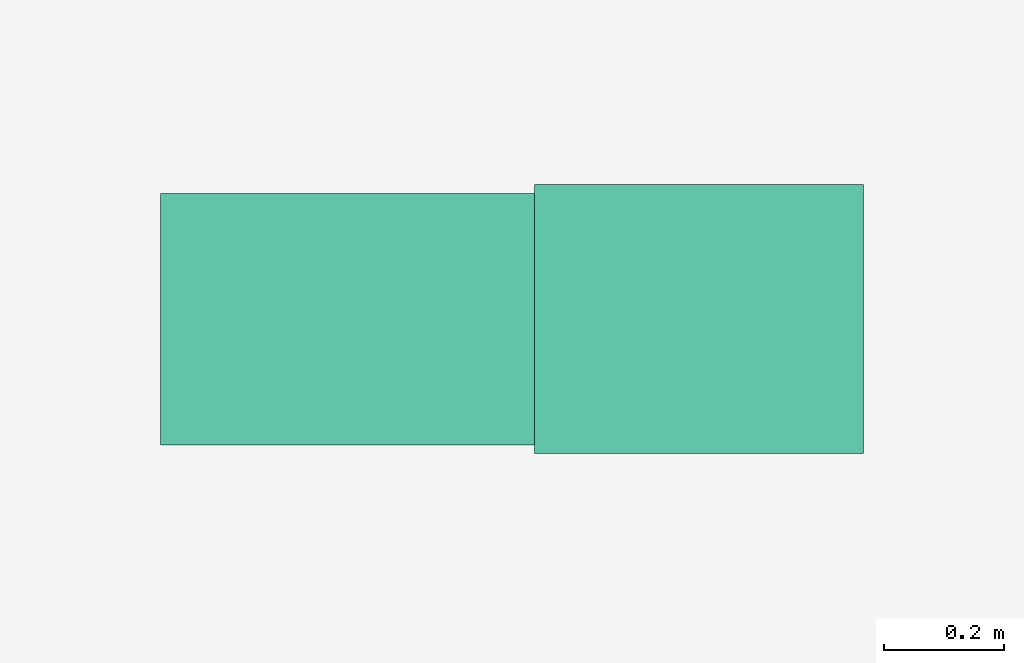
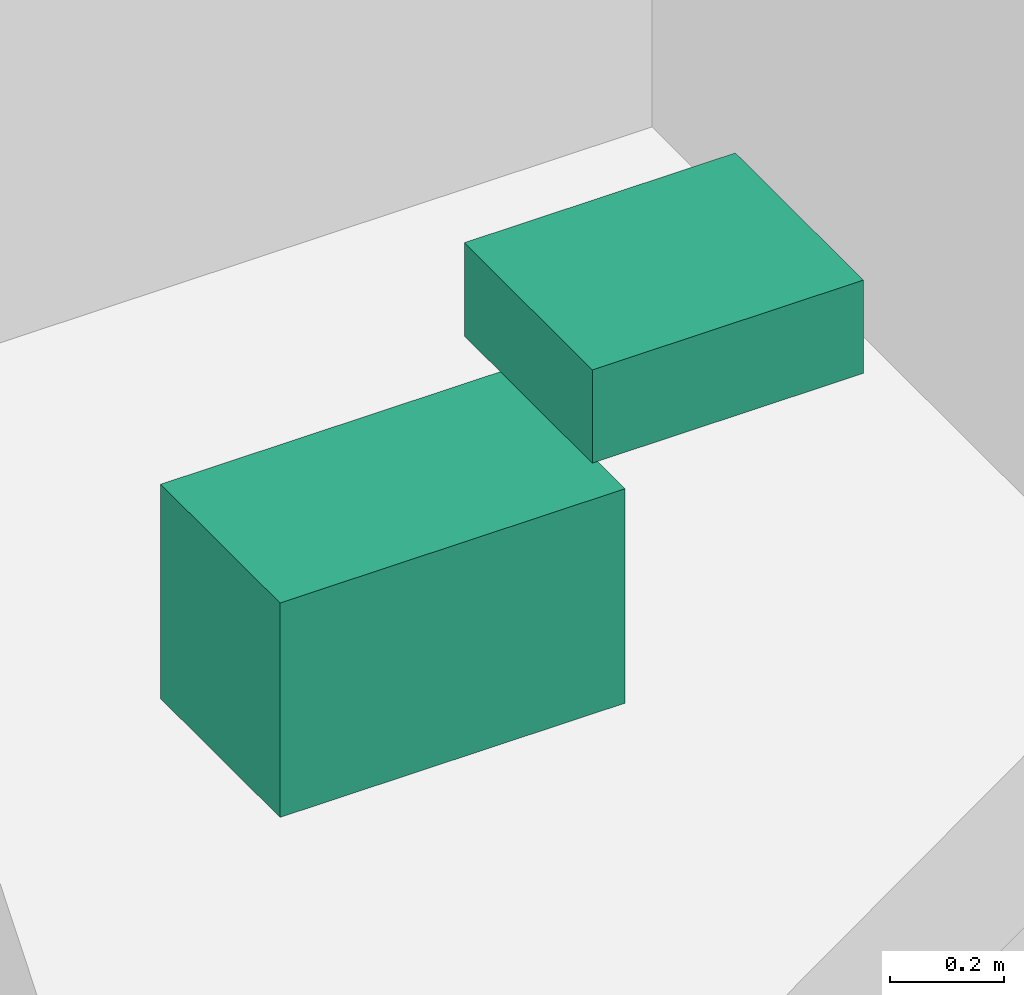
# One storey, part 18 of 18: 2 sanitary terminals.
"""IFC4 building model written with IfcOpenShell, lengths in metres."""

import ifcopenshell
import ifcopenshell.guid

model = None  # the IFC model being written
_history = None  # IfcOwnerHistory: only IFC2X3 demands one
_inside = {}  # id of a spatial element -> (the spatial element, [elements in it])
_under = {}  # id of a project, library or spatial element -> (it, [spatial elements below it])
_declared = {}  # id of a project -> (the project, [libraries it declares])
_typed = {}  # id of a type object -> (the type object, [elements of that type])
_made_of = {}  # id of a material, layer set ... -> (it, [elements and type objects made of it])


def new_model(schema):
    """Start an empty IFC model of exactly this schema.

    Asked for "IFC4X3", IfcOpenShell would pick the latest addendum, in which some entities
    have other attributes; the version numbers below select the first issue.
    IFC2X3 requires an IfcOwnerHistory on every rooted entity: one is made here for all.
    """
    global model, _history
    if schema == "IFC4X3":
        model = ifcopenshell.file(schema_version=(4, 3, 0, 0))
    else:
        model = ifcopenshell.file(schema=schema)
    _inside.clear()
    _under.clear()
    _declared.clear()
    _typed.clear()
    _made_of.clear()
    _history = None
    if model.schema == "IFC2X3":
        org = make("IfcOrganization", Name="unknown")
        user = make(
            "IfcPersonAndOrganization",
            ThePerson=make("IfcPerson", FamilyName="unknown"),
            TheOrganization=org,
        )
        app = make(
            "IfcApplication",
            ApplicationDeveloper=org,
            Version="unknown",
            ApplicationFullName="unknown",
            ApplicationIdentifier="unknown",
        )
        _history = make(
            "IfcOwnerHistory",
            OwningUser=user,
            OwningApplication=app,
            ChangeAction="ADDED",
            CreationDate=0,
        )
    return model


def make(cls, **values):
    """One entity of the class cls with the attributes given. An attribute that is None is left unset."""
    return model.create_entity(
        cls, **{name: value for name, value in values.items() if value is not None}
    )


def rooted(cls, **values):
    """An entity with a GlobalId (a new one), such as an element, a storey or a relation."""
    return make(cls, GlobalId=ifcopenshell.guid.new(), OwnerHistory=_history, **values)


def si_unit(unit_type, name, prefix=None):
    """IfcSIUnit, for example si_unit("LENGTHUNIT", "METRE", prefix="MILLI")."""
    return make("IfcSIUnit", UnitType=unit_type, Prefix=prefix, Name=name)


def assignment(units):
    """IfcUnitAssignment: the units of a project."""
    return None if units is None else make("IfcUnitAssignment", Units=units)


def point(xyz):
    """IfcCartesianPoint."""
    return None if xyz is None else make("IfcCartesianPoint", Coordinates=xyz)


def direction(xyz):
    """IfcDirection."""
    return None if xyz is None else make("IfcDirection", DirectionRatios=xyz)


def frame(location, z_axis=None, x_axis=None):
    """IfcAxis2Placement3D, a coordinate frame: its origin and axes. An axis left out is left unset."""
    return make(
        "IfcAxis2Placement3D",
        Location=point(location),
        Axis=direction(z_axis),
        RefDirection=direction(x_axis),
    )


def frame_2d(location, x_axis=None):
    """IfcAxis2Placement2D, a coordinate frame in the plane: its origin and x axis."""
    return make(
        "IfcAxis2Placement2D", Location=point(location), RefDirection=direction(x_axis)
    )


def origin():
    """The frame at (0, 0, 0) with its axes left unset."""
    return frame((0.0, 0.0, 0.0))


def origin_2d():
    """The frame at (0, 0) in the plane with its x axis left unset."""
    return frame_2d((0.0, 0.0))


def place(relative_to, where):
    """IfcLocalPlacement: puts the frame where relative to a parent placement (None: the world)."""
    return make(
        "IfcLocalPlacement", PlacementRelTo=relative_to, RelativePlacement=where
    )


def context(
    kind, dimensions, precision=None, world=None, true_north=None, identifier=None
):
    """IfcGeometricRepresentationContext, for example the 3D "Model" context."""
    return make(
        "IfcGeometricRepresentationContext",
        ContextIdentifier=identifier,
        ContextType=kind,
        CoordinateSpaceDimension=dimensions,
        Precision=precision,
        WorldCoordinateSystem=world,
        TrueNorth=true_north,
    )


def subcontext(parent, identifier, kind, view, scale=None):
    """IfcGeometricRepresentationSubContext, for example "Body" below "Model"."""
    return make(
        "IfcGeometricRepresentationSubContext",
        ContextIdentifier=identifier,
        ContextType=kind,
        ParentContext=parent,
        TargetScale=scale,
        TargetView=view,
    )


def project(units=None, contexts=None):
    """IfcProject with its units and contexts."""
    return rooted(
        "IfcProject",
        Name="project",
        RepresentationContexts=contexts,
        UnitsInContext=assignment(units),
    )


def spatial(cls, under=None, at=None, **own):
    """A site, building, storey or space (cls), placed at a placement, below another one or the project."""
    s = rooted(cls, ObjectPlacement=at, **own)
    if under is not None:
        _under.setdefault(under.id(), (under, []))[1].append(s)
    return s


def profile(cls, at=None, kind="AREA", **sizes):
    """A parametric profile (cls). Its sizes go by their IFC names, for example OverallWidth=200.0."""
    return make(cls, ProfileType=kind, Position=at, **sizes)


def rectangle(**sizes):
    """IfcRectangleProfileDef."""
    return profile("IfcRectangleProfileDef", **sizes)


def extrude(swept, where, along, depth):
    """IfcExtrudedAreaSolid: the profile swept, set in the frame where, extruded along a direction by depth."""
    return make(
        "IfcExtrudedAreaSolid",
        SweptArea=swept,
        Position=where,
        ExtrudedDirection=direction(along),
        Depth=depth,
    )


def shape(context_of_items, identifier, shape_type, items):
    """IfcShapeRepresentation: the items that make up one representation, for example the "Body"."""
    return make(
        "IfcShapeRepresentation",
        ContextOfItems=context_of_items,
        RepresentationIdentifier=identifier,
        RepresentationType=shape_type,
        Items=items,
    )


def material(Name=None, Category=None):
    """IfcMaterial."""
    return make("IfcMaterial", Name=Name, Category=Category)


def made_of(thing, what):
    """Note that an element or type object is made of a material, layer set ...; save() writes the relation."""
    if what is not None:
        _made_of.setdefault(what.id(), (what, []))[1].append(thing)
    return thing


def type_object(cls, material=None, **own):
    """A type object (cls), such as IfcWallType, which elements share."""
    return made_of(rooted(cls, **own), material)


def element(
    cls,
    number,
    at=None,
    inside=None,
    cuts=None,
    type_object=None,
    material=None,
    context=None,
    identifier="Body",
    shape_type=None,
    held_by="IfcProductDefinitionShape",
    body=None,
    shapes=None,
    **own,
):
    """One element of the class cls, such as IfcWall. Its Tag is "e" and its number.

    at: its placement. inside: the storey or other place that contains it. cuts: it is an
    opening in that element (IfcRelVoidsElement). A single representation is given by context,
    identifier, shape_type and body (its items); several are given by shapes. held_by: the class
    of the entity that holds the representations. save() writes the other relations.
    """
    e = rooted(cls, Tag="e%d" % number, ObjectPlacement=at, **own)
    if body is not None:
        shapes = [shape(context, identifier, shape_type, body)]
    if shapes is not None:
        e.Representation = make(held_by, Representations=shapes)
    if inside is not None:
        _inside.setdefault(inside.id(), (inside, []))[1].append(e)
    if cuts is not None:
        rooted(
            "IfcRelVoidsElement", RelatingBuildingElement=cuts, RelatedOpeningElement=e
        )
    if type_object is not None:
        _typed.setdefault(type_object.id(), (type_object, []))[1].append(e)
    return made_of(e, material)


def aggregate(whole, parts):
    """IfcRelAggregates: a whole, such as a stair, and the parts it consists of."""
    return rooted("IfcRelAggregates", RelatingObject=whole, RelatedObjects=parts)


def save(model, path):
    """Write the relations noted so far, then the file.

    IfcRelAggregates (storeys below a building ...), IfcRelContainedInSpatialStructure (elements
    in a storey), IfcRelDefinesByType, IfcRelAssociatesMaterial and IfcRelDeclares: one each for
    every whole, place, type object, material and project.
    """
    for whole, parts in _under.values():
        aggregate(whole, parts)
    for where, things in _inside.values():
        rooted(
            "IfcRelContainedInSpatialStructure",
            RelatedElements=things,
            RelatingStructure=where,
        )
    for kind, things in _typed.values():
        rooted("IfcRelDefinesByType", RelatedObjects=things, RelatingType=kind)
    for what, things in _made_of.values():
        rooted("IfcRelAssociatesMaterial", RelatedObjects=things, RelatingMaterial=what)
    for by, libraries in _declared.values():
        rooted("IfcRelDeclares", RelatingContext=by, RelatedDefinitions=libraries)
    model.write(path)


model = new_model("IFC4")

# Units and contexts
model_context = context("Model", 3, precision=1e-05, world=origin(), true_north=direction((0.0, 1.0)))
body_context = subcontext(model_context, "Body", "Model", "MODEL_VIEW")
ifc_project = project(units=[si_unit("LENGTHUNIT", "METRE"), si_unit("AREAUNIT", "SQUARE_METRE"), si_unit("VOLUMEUNIT", "CUBIC_METRE"), si_unit("PLANEANGLEUNIT", "RADIAN"), si_unit("MASSUNIT", "GRAM", prefix="KILO")], contexts=[model_context])

# Site, building, storey
site_placement = place(None, origin())
site = spatial("IfcSite", under=ifc_project, at=site_placement, CompositionType="ELEMENT")
building_placement = place(site_placement, origin())
building = spatial("IfcBuilding", under=site, at=building_placement, Name="Surkhivell Harbour Commons", CompositionType="ELEMENT")
storey_placement = place(building_placement, frame((0.0, 0.0, 351.0)))
storey = spatial("IfcBuildingStorey", under=building, at=storey_placement, Name="L91", CompositionType="ELEMENT", Elevation=351.0)

# Sanitary terminals
ifc_material_1 = material(Name="Vitreous china washbasin", Category="other")
sanitary_terminal_type_1 = type_object("IfcSanitaryTerminalType", Name="SAN-BSN", PredefinedType="WASHHANDBASIN", material=ifc_material_1)
sanitary_terminal_1_placement = place(storey_placement, frame((1.89990234375, 2.89990234375, 0.72021484375), z_axis=(0.0, 0.0, 1.0), x_axis=(1.0, 0.0, 0.0)))
element("IfcSanitaryTerminal", 1, at=sanitary_terminal_1_placement, inside=storey, type_object=sanitary_terminal_type_1, Name="L91 Core Accessible WC Washbasin", PredefinedType="WASHHANDBASIN", context=body_context, shape_type="SweptSolid", body=[
    extrude(rectangle(XDim=0.550048828125, YDim=0.449951171875, at=origin_2d()), origin(), (0.0, 0.0, 1.0), 0.199951171875),
])
ifc_material_2 = material(Name="Vitreous china sanitaryware", Category="other")
sanitary_terminal_type_2 = type_object("IfcSanitaryTerminalType", Name="SAN-WC-ACC", PredefinedType="TOILETPAN", material=ifc_material_2)
sanitary_terminal_2_placement = place(storey_placement, frame((1.35009765625, 2.89990234375, 0.169921875), z_axis=(0.0, 0.0, 1.0), x_axis=(1.0, 0.0, 0.0)))
element("IfcSanitaryTerminal", 2, at=sanitary_terminal_2_placement, inside=storey, type_object=sanitary_terminal_type_2, Name="L91 Core Accessible WC", PredefinedType="TOILETPAN", context=body_context, shape_type="SweptSolid", body=[
    extrude(rectangle(XDim=0.699951171875, YDim=0.419921875, at=origin_2d()), origin(), (0.0, 0.0, 1.0), 0.4599609375),
])

save(model, "model.ifc")
